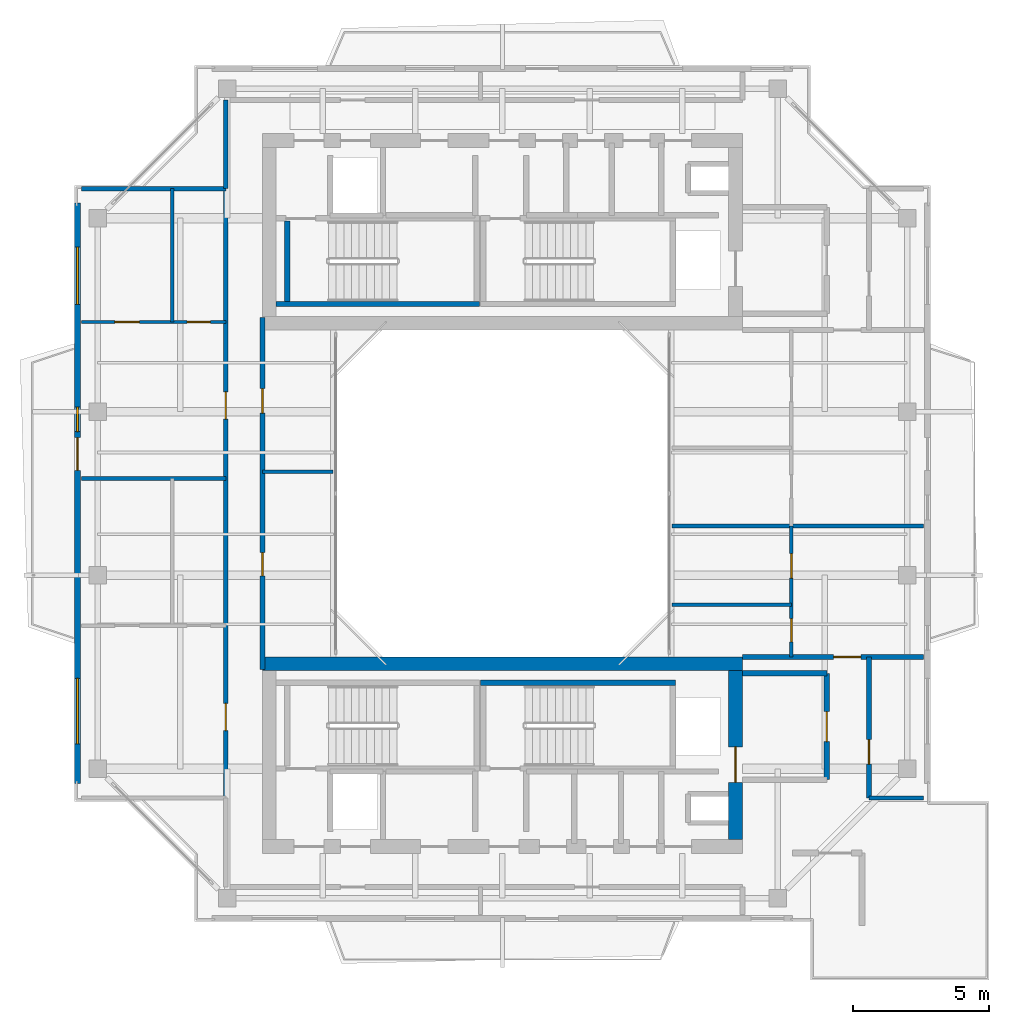
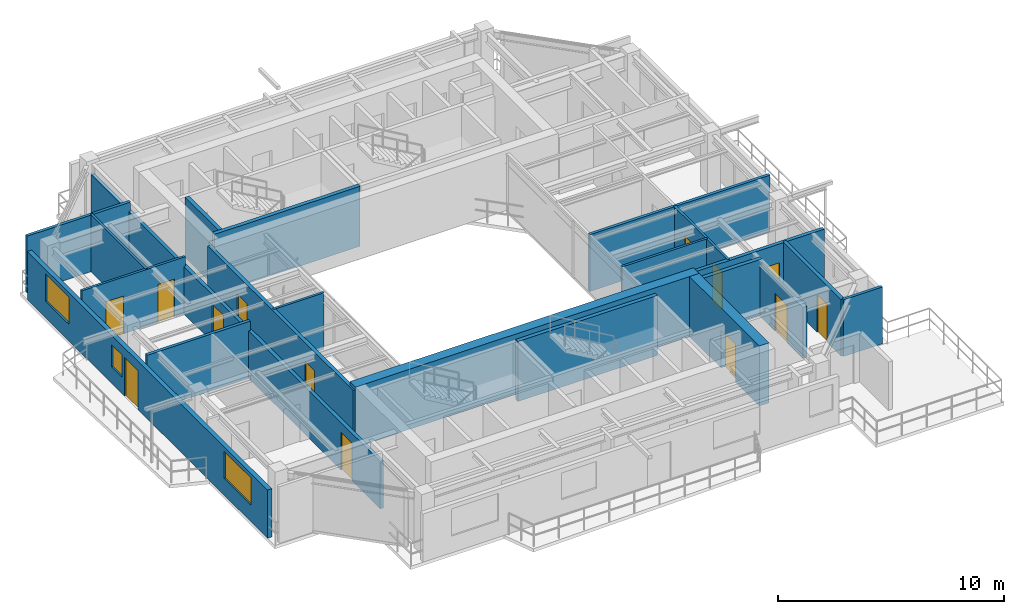
# One storey, part 10 of 14: 22 walls, 13 doors, 3 windows, 16 openings.
"""IFC4 building model written with IfcOpenShell, lengths in metres."""

from ifc_helpers import new_model, si_unit, direction, frame, frame_2d, origin, place, context, subcontext, project, spatial, rectangle, extrude, source, transform, mapped, material, layer, layer_set, type_object, element, fill, save


model = new_model("IFC4")

# Units and contexts
model_context = context("Model", 3, precision=1e-05, world=origin(), true_north=direction((0.0, 1.0)))
body_context = subcontext(model_context, "Body", "Model", "MODEL_VIEW")
ifc_project = project(units=[si_unit("LENGTHUNIT", "METRE"), si_unit("AREAUNIT", "SQUARE_METRE"), si_unit("VOLUMEUNIT", "CUBIC_METRE"), si_unit("PLANEANGLEUNIT", "RADIAN"), si_unit("MASSUNIT", "GRAM", prefix="KILO"), si_unit("THERMODYNAMICTEMPERATUREUNIT", "KELVIN"), si_unit("POWERUNIT", "WATT")], contexts=[model_context])

# Site, building, storey
site_placement = place(None, origin())
site = spatial("IfcSite", under=ifc_project, at=site_placement, CompositionType="ELEMENT")
building_placement = place(site_placement, origin())
building = spatial("IfcBuilding", under=site, at=building_placement, Name="Qiaomeng Ring Towers", CompositionType="ELEMENT")
storey_placement = place(building_placement, frame((0.0, 0.0, 253.5)))
storey = spatial("IfcBuildingStorey", under=building, at=storey_placement, Name="L74", CompositionType="ELEMENT", Elevation=253.5)

# Wall, openings, windows, door
ifc_material_1 = material(Name="Precast concrete C40", Category="concrete")
ifc_layer_1 = layer(ifc_material_1, 0.219970703125, Name="Precast concrete C40")
ifc_layer_set_1 = layer_set([ifc_layer_1], Name="Precast concrete C40")
wall_type_1 = type_object("IfcWallType", Name="ARC-WL-EW2", PredefinedType="STANDARD", material=ifc_layer_set_1)
wall_1_placement = place(storey_placement, frame((3.409912109375, 12.35009765625, 0.0), z_axis=(0.0, 0.0, 1.0), x_axis=(0.0, 1.0, 0.0)))
wall_1 = element("IfcWall", 1, at=wall_1_placement, inside=storey, type_object=wall_type_1, Name="L74 Tower 1 W Exterior Wall", PredefinedType="STANDARD", context=body_context, shape_type="SweptSolid", body=[
    extrude(rectangle(XDim=21.2998046875, YDim=0.219970703125, at=frame_2d((10.64990234375, 0.0))), origin(), (0.0, 0.0, 1.0), 2.610107421875),
])
opening_1_placement = place(wall_1_placement, frame((11.5, 0.0, 0.0)))
opening_1 = element("IfcOpeningElement", 2, at=opening_1_placement, cuts=wall_1, Name="Opening BD1", PredefinedType="OPENING", context=body_context, shape_type="SweptSolid", body=[
    extrude(rectangle(XDim=1.199951171875, YDim=2.10009765625, at=frame_2d((0.60009765625, 1.050048828125))), frame((0.0, 0.119873046875, 0.0), z_axis=(0.0, -1.0, 0.0), x_axis=(1.0, 0.0, 0.0)), (0.0, 0.0, 1.0), 0.239990234375),
])
opening_2_placement = place(wall_1_placement, frame((1.462890625, 0.0, 0.89990234375)))
opening_2 = element("IfcOpeningElement", 3, at=opening_2_placement, cuts=wall_1, Name="Opening WN6", PredefinedType="OPENING", context=body_context, shape_type="SweptSolid", body=[
    extrude(rectangle(XDim=2.39990234375, YDim=1.47998046875, at=frame_2d((1.199951171875, 0.739990234375))), frame((0.0, 0.119873046875, 0.0), z_axis=(0.0, -1.0, 0.0), x_axis=(1.0, 0.0, 0.0)), (0.0, 0.0, 1.0), 0.239990234375),
])
opening_3_placement = place(wall_1_placement, frame((17.587890625, 0.0, 0.89990234375)))
opening_3 = element("IfcOpeningElement", 4, at=opening_3_placement, cuts=wall_1, Name="Opening WN4", PredefinedType="OPENING", context=body_context, shape_type="SweptSolid", body=[
    extrude(rectangle(XDim=2.10009765625, YDim=1.47998046875, at=frame_2d((1.050048828125, 0.739990234375))), frame((0.0, 0.119873046875, 0.0), z_axis=(0.0, -1.0, 0.0), x_axis=(1.0, 0.0, 0.0)), (0.0, 0.0, 1.0), 0.239990234375),
])
opening_4_placement = place(wall_1_placement, frame((12.919921875, 0.0, 0.89990234375)))
opening_4 = element("IfcOpeningElement", 5, at=opening_4_placement, cuts=wall_1, Name="Opening WN5", PredefinedType="OPENING", context=body_context, shape_type="SweptSolid", body=[
    extrude(rectangle(XDim=0.89990234375, YDim=1.199951171875, at=frame_2d((0.449951171875, 0.60009765625))), frame((0.0, 0.119873046875, 0.0), z_axis=(0.0, -1.0, 0.0), x_axis=(1.0, 0.0, 0.0)), (0.0, 0.0, 1.0), 0.239990234375),
])
ifc_material_2 = material(Name="Low-E dark-grey laminated double glazing", Category="glass")
window_type_1 = type_object("IfcWindowType", Name="ARC-WN-4", PartitioningType="TRIPLE_PANEL_VERTICAL", PredefinedType="WINDOW", material=ifc_material_2)
shared_shape_1 = source(origin(), body_context, "Body", "SweptSolid", [
    extrude(rectangle(XDim=2.10009765625, YDim=1.47998046875, at=frame_2d((1.050048828125, 0.739990234375))), frame((0.0, 0.030029296875, 0.0), z_axis=(0.0, -1.0, 0.0), x_axis=(1.0, 0.0, 0.0)), (0.0, 0.0, 1.0), 0.06005859375),
])
window_1_placement = place(opening_3_placement, origin())
window_1 = element("IfcWindow", 6, at=window_1_placement, inside=storey, type_object=window_type_1, Name="L74 Exterior Window WN4", OverallHeight=1.47998046875, OverallWidth=2.10009765625, PartitioningType="TRIPLE_PANEL_VERTICAL", PredefinedType="WINDOW", context=body_context, shape_type="MappedRepresentation", body=[
    mapped(shared_shape_1, transform((0.0, 0.0, 0.0), x_axis=(1.0, 0.0, 0.0), y_axis=(0.0, 1.0, 0.0), z_axis=(0.0, 0.0, 1.0), scale=1.0)),
])
fill(opening_3, window_1)
window_type_2 = type_object("IfcWindowType", Name="ARC-WN-6", PartitioningType="TRIPLE_PANEL_VERTICAL", PredefinedType="WINDOW", material=ifc_material_2)
shared_shape_2 = source(origin(), body_context, "Body", "SweptSolid", [
    extrude(rectangle(XDim=2.39990234375, YDim=1.47998046875, at=frame_2d((1.199951171875, 0.739990234375))), frame((0.0, 0.030029296875, 0.0), z_axis=(0.0, -1.0, 0.0), x_axis=(1.0, 0.0, 0.0)), (0.0, 0.0, 1.0), 0.06005859375),
])
window_2_placement = place(opening_2_placement, origin())
window_2 = element("IfcWindow", 7, at=window_2_placement, inside=storey, type_object=window_type_2, Name="L74 Exterior Window WN6", OverallHeight=1.47998046875, OverallWidth=2.39990234375, PartitioningType="TRIPLE_PANEL_VERTICAL", PredefinedType="WINDOW", context=body_context, shape_type="MappedRepresentation", body=[
    mapped(shared_shape_2, transform((0.0, 0.0, 0.0), x_axis=(1.0, 0.0, 0.0), y_axis=(0.0, 1.0, 0.0), z_axis=(0.0, 0.0, 1.0), scale=1.0)),
])
fill(opening_2, window_2)
door_type_1 = type_object("IfcDoorType", Name="ARC-DR-BD1", OperationType="NOTDEFINED", PredefinedType="DOOR", material=ifc_material_2)
shared_shape_3 = source(origin(), body_context, "Body", "SweptSolid", [
    extrude(rectangle(XDim=1.199951171875, YDim=2.10009765625, at=frame_2d((0.60009765625, 1.050048828125))), frame((0.0, 0.02490234375, 0.0), z_axis=(0.0, -1.0, 0.0), x_axis=(1.0, 0.0, 0.0)), (0.0, 0.0, 1.0), 0.050048828125),
])
door_1_placement = place(opening_1_placement, frame((1.199951171875, 0.0, 0.0), z_axis=(0.0, 0.0, 1.0), x_axis=(-1.0, 0.0, 0.0)))
door_1 = element("IfcDoor", 8, at=door_1_placement, inside=storey, type_object=door_type_1, Name="L74 W Balcony Glazed Door", OperationType="SINGLE_SWING_LEFT", OverallHeight=2.10009765625, OverallWidth=1.199951171875, PredefinedType="DOOR", context=body_context, shape_type="MappedRepresentation", body=[
    mapped(shared_shape_3, transform((0.0, 0.0, 0.0), x_axis=(1.0, 0.0, 0.0), y_axis=(0.0, 1.0, 0.0), z_axis=(0.0, 0.0, 1.0), scale=1.0)),
])
fill(opening_1, door_1)
window_type_3 = type_object("IfcWindowType", Name="ARC-WN-5", PartitioningType="SINGLE_PANEL", PredefinedType="WINDOW", material=ifc_material_2)
shared_shape_4 = source(origin(), body_context, "Body", "SweptSolid", [
    extrude(rectangle(XDim=0.89990234375, YDim=1.199951171875, at=frame_2d((0.449951171875, 0.60009765625))), frame((0.0, 0.030029296875, 0.0), z_axis=(0.0, -1.0, 0.0), x_axis=(1.0, 0.0, 0.0)), (0.0, 0.0, 1.0), 0.06005859375),
])
window_3_placement = place(opening_4_placement, origin())
window_3 = element("IfcWindow", 9, at=window_3_placement, inside=storey, type_object=window_type_3, Name="L74 Exterior Window WN5", OverallHeight=1.199951171875, OverallWidth=0.89990234375, PartitioningType="SINGLE_PANEL", PredefinedType="WINDOW", context=body_context, shape_type="MappedRepresentation", body=[
    mapped(shared_shape_4, transform((0.0, 0.0, 0.0), x_axis=(1.0, 0.0, 0.0), y_axis=(0.0, 1.0, 0.0), z_axis=(0.0, 0.0, 1.0), scale=1.0)),
])
fill(opening_4, window_3)

# Wall
ifc_material_3 = material(Name="Autoclaved aerated concrete block", Category="concrete")
ifc_layer_2 = layer(ifc_material_3, 0.199951171875, Name="Autoclaved aerated concrete block")
ifc_layer_set_2 = layer_set([ifc_layer_2], Name="Autoclaved aerated concrete block")
wall_type_2 = type_object("IfcWallType", Name="ARC-WL-PW1", PredefinedType="PARTITIONING", material=ifc_layer_set_2)
wall_2_placement = place(storey_placement, frame((27.800048828125, 16.39990234375, 0.0), z_axis=(0.0, 0.0, 1.0), x_axis=(1.0, 0.0, 0.0)))
element("IfcWall", 10, at=wall_2_placement, inside=storey, type_object=wall_type_2, Name="L74 Interior Wall PW1", PredefinedType="PARTITIONING", context=body_context, shape_type="SweptSolid", body=[
    extrude(rectangle(XDim=3.099853515625, YDim=0.199951171875, at=frame_2d((1.5498046875, 0.0))), origin(), (0.0, 0.0, 1.0), 3.070068359375),
])

# Wall, opening, door
wall_3_placement = place(storey_placement, frame((30.89990234375, 12.5, 0.0), z_axis=(0.0, 0.0, 1.0), x_axis=(0.0, 1.0, 0.0)))
wall_3 = element("IfcWall", 11, at=wall_3_placement, inside=storey, type_object=wall_type_2, Name="L74 Interior Wall PW1", PredefinedType="PARTITIONING", context=body_context, shape_type="SweptSolid", body=[
    extrude(rectangle(XDim=3.89990234375, YDim=0.199951171875, at=frame_2d((1.949951171875, 0.0))), origin(), (0.0, 0.0, 1.0), 2.77099609375),
])
opening_5_placement = place(wall_3_placement, frame((1.39990234375, 0.0, 0.0)))
opening_5 = element("IfcOpeningElement", 12, at=opening_5_placement, cuts=wall_3, Name="Opening FD3", PredefinedType="OPENING", context=body_context, shape_type="SweptSolid", body=[
    extrude(rectangle(XDim=1.10009765625, YDim=2.050048828125, at=frame_2d((0.550048828125, 1.02490234375))), frame((0.0, 0.10986328125, 0.0), z_axis=(0.0, -1.0, 0.0), x_axis=(1.0, 0.0, 0.0)), (0.0, 0.0, 1.0), 0.219970703125),
])
ifc_material_4 = material(Name="Galvanised steel", Category="steel")
door_type_2 = type_object("IfcDoorType", Name="ARC-DR-FD3", OperationType="NOTDEFINED", PredefinedType="DOOR", material=ifc_material_4)
shared_shape_5 = source(origin(), body_context, "Body", "SweptSolid", [
    extrude(rectangle(XDim=1.10009765625, YDim=2.050048828125, at=frame_2d((0.550048828125, 1.02490234375))), frame((0.0, 0.02490234375, 0.0), z_axis=(0.0, -1.0, 0.0), x_axis=(1.0, 0.0, 0.0)), (0.0, 0.0, 1.0), 0.050048828125),
])
door_2_placement = place(opening_5_placement, origin())
door_2 = element("IfcDoor", 13, at=door_2_placement, inside=storey, type_object=door_type_2, Name="L74 South FF Lobby Door", OperationType="SINGLE_SWING_RIGHT", OverallHeight=2.050048828125, OverallWidth=1.10009765625, PredefinedType="DOOR", context=body_context, shape_type="MappedRepresentation", body=[
    mapped(shared_shape_5, transform((0.0, 0.0, 0.0), x_axis=(1.0, 0.0, 0.0), y_axis=(0.0, 1.0, 0.0), z_axis=(0.0, 0.0, 1.0), scale=1.0)),
])
fill(opening_5, door_2)

# Wall
ifc_layer_3 = layer(ifc_material_3, 0.179931640625, Name="Autoclaved aerated concrete block")
ifc_layer_set_3 = layer_set([ifc_layer_3], Name="Autoclaved aerated concrete block")
wall_type_3 = type_object("IfcWallType", Name="ARC-WL-PW2", PredefinedType="PARTITIONING", material=ifc_layer_set_3)
wall_4_placement = place(storey_placement, frame((8.85009765625, 34.179931640625, 0.0), z_axis=(0.0, 0.0, 1.0), x_axis=(0.0, 1.0, 0.0)))
element("IfcWall", 14, at=wall_4_placement, inside=storey, type_object=wall_type_3, Name="L74 Interior Wall PW2", PredefinedType="PARTITIONING", context=body_context, shape_type="SweptSolid", body=[
    extrude(rectangle(XDim=3.260009765625, YDim=0.179931640625, at=frame_2d((1.6298828125, 0.0))), origin(), (0.0, 0.0, 1.0), 2.569091796875),
])

# Wall, openings, doors
wall_5_placement = place(storey_placement, frame((8.85009765625, 11.820068359375, 0.0), z_axis=(0.0, 0.0, 1.0), x_axis=(0.0, 1.0, 0.0)))
wall_5 = element("IfcWall", 15, at=wall_5_placement, inside=storey, type_object=wall_type_3, Name="L74 Interior Wall PW2", PredefinedType="PARTITIONING", context=body_context, shape_type="SweptSolid", body=[
    extrude(rectangle(XDim=22.35986328125, YDim=0.179931640625, at=frame_2d((11.179931640625, 0.0))), origin(), (0.0, 0.0, 1.0), 2.569091796875),
])
opening_6_placement = place(wall_5_placement, frame((2.47509765625, 0.0, 0.0)))
opening_6 = element("IfcOpeningElement", 16, at=opening_6_placement, cuts=wall_5, Name="Opening FD4", PredefinedType="OPENING", context=body_context, shape_type="SweptSolid", body=[
    extrude(rectangle(XDim=1.0, YDim=2.050048828125, at=frame_2d((0.5, 1.02490234375))), frame((0.0, 0.099853515625, 0.0), z_axis=(0.0, -1.0, 0.0), x_axis=(1.0, 0.0, 0.0)), (0.0, 0.0, 1.0), 0.199951171875),
])
opening_7_placement = place(wall_5_placement, frame((13.909912109375, 0.0, 0.0)))
opening_7 = element("IfcOpeningElement", 17, at=opening_7_placement, cuts=wall_5, Name="Opening FD4", PredefinedType="OPENING", context=body_context, shape_type="SweptSolid", body=[
    extrude(rectangle(XDim=1.0, YDim=2.050048828125, at=frame_2d((0.5, 1.02490234375))), frame((0.0, 0.099853515625, 0.0), z_axis=(0.0, -1.0, 0.0), x_axis=(1.0, 0.0, 0.0)), (0.0, 0.0, 1.0), 0.199951171875),
])
ifc_material_5 = material(Name="Engineered fire-rated oak timber", Category="wood")
door_type_3 = type_object("IfcDoorType", Name="ARC-DR-FD4", OperationType="NOTDEFINED", PredefinedType="DOOR", material=ifc_material_5)
shared_shape_6 = source(origin(), body_context, "Body", "SweptSolid", [
    extrude(rectangle(XDim=1.0, YDim=2.050048828125, at=frame_2d((0.5, 1.02490234375))), frame((0.0, 0.02490234375, 0.0), z_axis=(0.0, -1.0, 0.0), x_axis=(1.0, 0.0, 0.0)), (0.0, 0.0, 1.0), 0.050048828125),
])
door_3_placement = place(opening_6_placement, origin())
door_3 = element("IfcDoor", 18, at=door_3_placement, inside=storey, type_object=door_type_3, Name="L74 Door FD4", OperationType="SINGLE_SWING_LEFT", OverallHeight=2.050048828125, OverallWidth=1.0, PredefinedType="DOOR", context=body_context, shape_type="MappedRepresentation", body=[
    mapped(shared_shape_6, transform((0.0, 0.0, 0.0), x_axis=(1.0, 0.0, 0.0), y_axis=(0.0, 1.0, 0.0), z_axis=(0.0, 0.0, 1.0), scale=1.0)),
])
fill(opening_6, door_3)
door_4_placement = place(opening_7_placement, origin())
door_4 = element("IfcDoor", 19, at=door_4_placement, inside=storey, type_object=door_type_3, Name="L74 Door FD4", OperationType="SINGLE_SWING_RIGHT", OverallHeight=2.050048828125, OverallWidth=1.0, PredefinedType="DOOR", context=body_context, shape_type="MappedRepresentation", body=[
    mapped(shared_shape_6, transform((0.0, 0.0, 0.0), x_axis=(1.0, 0.0, 0.0), y_axis=(0.0, 1.0, 0.0), z_axis=(0.0, 0.0, 1.0), scale=1.0)),
])
fill(opening_7, door_4)

wall_6_placement = place(storey_placement, frame((10.199951171875, 16.550048828125, 0.0), z_axis=(0.0, 0.0, 1.0), x_axis=(0.0, 1.0, 0.0)))
wall_6 = element("IfcWall", 20, at=wall_6_placement, inside=storey, type_object=wall_type_3, Name="L74 Interior Wall PW2", PredefinedType="PARTITIONING", context=body_context, shape_type="SweptSolid", body=[
    extrude(rectangle(XDim=12.89990234375, YDim=0.179931640625, at=frame_2d((6.449951171875, 0.0))), origin(), (0.0, 0.0, 1.0), 3.070068359375),
])
opening_8_placement = place(wall_6_placement, frame((3.425048828125, 0.0, 0.0)))
opening_8 = element("IfcOpeningElement", 21, at=opening_8_placement, cuts=wall_6, Name="Opening ID2", PredefinedType="OPENING", context=body_context, shape_type="SweptSolid", body=[
    extrude(rectangle(XDim=0.85009765625, YDim=2.050048828125, at=frame_2d((0.425048828125, 1.02490234375))), frame((0.0, 0.099853515625, 0.0), z_axis=(0.0, -1.0, 0.0), x_axis=(1.0, 0.0, 0.0)), (0.0, 0.0, 1.0), 0.199951171875),
])
opening_9_placement = place(wall_6_placement, frame((9.39990234375, 0.0, 0.0)))
opening_9 = element("IfcOpeningElement", 22, at=opening_9_placement, cuts=wall_6, Name="Opening ID1", PredefinedType="OPENING", context=body_context, shape_type="SweptSolid", body=[
    extrude(rectangle(XDim=0.89990234375, YDim=2.050048828125, at=frame_2d((0.449951171875, 1.02490234375))), frame((0.0, 0.099853515625, 0.0), z_axis=(0.0, -1.0, 0.0), x_axis=(1.0, 0.0, 0.0)), (0.0, 0.0, 1.0), 0.199951171875),
])
ifc_material_6 = material(Name="Moisture-resistant engineered timber", Category="wood")
door_type_4 = type_object("IfcDoorType", Name="ARC-DR-ID2", OperationType="NOTDEFINED", PredefinedType="DOOR", material=ifc_material_6)
shared_shape_7 = source(origin(), body_context, "Body", "SweptSolid", [
    extrude(rectangle(XDim=0.85009765625, YDim=2.050048828125, at=frame_2d((0.425048828125, 1.02490234375))), frame((0.0, 0.02490234375, 0.0), z_axis=(0.0, -1.0, 0.0), x_axis=(1.0, 0.0, 0.0)), (0.0, 0.0, 1.0), 0.050048828125),
])
door_5_placement = place(opening_8_placement, origin())
door_5 = element("IfcDoor", 23, at=door_5_placement, inside=storey, type_object=door_type_4, Name="L74 Door ID2", OperationType="SINGLE_SWING_LEFT", OverallHeight=2.050048828125, OverallWidth=0.85009765625, PredefinedType="DOOR", context=body_context, shape_type="MappedRepresentation", body=[
    mapped(shared_shape_7, transform((0.0, 0.0, 0.0), x_axis=(1.0, 0.0, 0.0), y_axis=(0.0, 1.0, 0.0), z_axis=(0.0, 0.0, 1.0), scale=1.0)),
])
fill(opening_8, door_5)
ifc_material_7 = material(Name="Engineered oak timber", Category="wood")
door_type_5 = type_object("IfcDoorType", Name="ARC-DR-ID1", OperationType="NOTDEFINED", PredefinedType="DOOR", material=ifc_material_7)
shared_shape_8 = source(origin(), body_context, "Body", "SweptSolid", [
    extrude(rectangle(XDim=0.89990234375, YDim=2.050048828125, at=frame_2d((0.449951171875, 1.02490234375))), frame((0.0, 0.02490234375, 0.0), z_axis=(0.0, -1.0, 0.0), x_axis=(1.0, 0.0, 0.0)), (0.0, 0.0, 1.0), 0.050048828125),
])
door_6_placement = place(opening_9_placement, origin())
door_6 = element("IfcDoor", 24, at=door_6_placement, inside=storey, type_object=door_type_5, Name="L74 Door ID1", OperationType="SINGLE_SWING_RIGHT", OverallHeight=2.050048828125, OverallWidth=0.89990234375, PredefinedType="DOOR", context=body_context, shape_type="MappedRepresentation", body=[
    mapped(shared_shape_8, transform((0.0, 0.0, 0.0), x_axis=(1.0, 0.0, 0.0), y_axis=(0.0, 1.0, 0.0), z_axis=(0.0, 0.0, 1.0), scale=1.0)),
])
fill(opening_9, door_6)

# Wall, opening, door
wall_7_placement = place(storey_placement, frame((27.800048828125, 17.0, 0.0), z_axis=(0.0, 0.0, 1.0), x_axis=(1.0, 0.0, 0.0)))
wall_7 = element("IfcWall", 25, at=wall_7_placement, inside=storey, type_object=wall_type_3, Name="L74 Interior Wall PW2", PredefinedType="PARTITIONING", context=body_context, shape_type="SweptSolid", body=[
    extrude(rectangle(XDim=6.64990234375, YDim=0.179931640625, at=frame_2d((3.324951171875, 0.0))), origin(), (0.0, 0.0, 1.0), 3.070068359375),
])
opening_10_placement = place(wall_7_placement, frame((3.35009765625, 0.0, 0.0)))
opening_10 = element("IfcOpeningElement", 26, at=opening_10_placement, cuts=wall_7, Name="Opening FD4", PredefinedType="OPENING", context=body_context, shape_type="SweptSolid", body=[
    extrude(rectangle(XDim=1.0, YDim=2.050048828125, at=frame_2d((0.5, 1.02490234375))), frame((0.0, 0.099853515625, 0.0), z_axis=(0.0, -1.0, 0.0), x_axis=(1.0, 0.0, 0.0)), (0.0, 0.0, 1.0), 0.199951171875),
])
door_7_placement = place(opening_10_placement, origin())
door_7 = element("IfcDoor", 27, at=door_7_placement, inside=storey, type_object=door_type_3, Name="L74 Door FD4", OperationType="SINGLE_SWING_LEFT", OverallHeight=2.050048828125, OverallWidth=1.0, PredefinedType="DOOR", context=body_context, shape_type="MappedRepresentation", body=[
    mapped(shared_shape_6, transform((0.0, 0.0, 0.0), x_axis=(1.0, 0.0, 0.0), y_axis=(0.0, 1.0, 0.0), z_axis=(0.0, 0.0, 1.0), scale=1.0)),
])
fill(opening_10, door_7)

wall_8_placement = place(storey_placement, frame((32.449951171875, 11.820068359375, 0.0), z_axis=(0.0, 0.0, 1.0), x_axis=(0.0, 1.0, 0.0)))
wall_8 = element("IfcWall", 28, at=wall_8_placement, inside=storey, type_object=wall_type_3, Name="L74 Interior Wall PW2", PredefinedType="PARTITIONING", context=body_context, shape_type="SweptSolid", body=[
    extrude(rectangle(XDim=5.179931640625, YDim=0.179931640625, at=frame_2d((2.58984375, 0.0))), origin(), (0.0, 0.0, 1.0), 3.070068359375),
])
opening_11_placement = place(wall_8_placement, frame((1.25, 0.0, 0.0)))
opening_11 = element("IfcOpeningElement", 29, at=opening_11_placement, cuts=wall_8, Name="Opening ID1", PredefinedType="OPENING", context=body_context, shape_type="SweptSolid", body=[
    extrude(rectangle(XDim=0.89990234375, YDim=2.050048828125, at=frame_2d((0.449951171875, 1.02490234375))), frame((0.0, 0.099853515625, 0.0), z_axis=(0.0, -1.0, 0.0), x_axis=(1.0, 0.0, 0.0)), (0.0, 0.0, 1.0), 0.199951171875),
])
door_8_placement = place(opening_11_placement, origin())
door_8 = element("IfcDoor", 30, at=door_8_placement, inside=storey, type_object=door_type_5, Name="L74 Door ID1", OperationType="SINGLE_SWING_RIGHT", OverallHeight=2.050048828125, OverallWidth=0.89990234375, PredefinedType="DOOR", context=body_context, shape_type="MappedRepresentation", body=[
    mapped(shared_shape_8, transform((0.0, 0.0, 0.0), x_axis=(1.0, 0.0, 0.0), y_axis=(0.0, 1.0, 0.0), z_axis=(0.0, 0.0, 1.0), scale=1.0)),
])
fill(opening_11, door_8)

# Walls
ifc_material_8 = material(Name="Gypsum fireboard steel-stud partition", Category="steel")
ifc_layer_4 = layer(ifc_material_8, 0.14990234375, Name="Gypsum fireboard steel-stud partition")
ifc_layer_set_4 = layer_set([ifc_layer_4], Name="Gypsum fireboard steel-stud partition")
wall_type_4 = type_object("IfcWallType", Name="ARC-WL-PW3", PredefinedType="PARTITIONING", material=ifc_layer_set_4)
for number, where, z_axis, x_axis, name in (
    (31, (3.550048828125, 34.179931640625, 0.0), (0.0, 0.0, 1.0), (1.0, 0.0, 0.0), "L74 Interior Wall PW3"),
    (32, (3.550048828125, 23.550048828125, 0.0), (0.0, 0.0, 1.0), (1.0, 0.0, 0.0), "L74 Interior Wall PW3"),
):
    element("IfcWall", number, at=place(storey_placement, frame(where, z_axis=z_axis, x_axis=x_axis)), inside=storey, type_object=wall_type_4, Name=name, PredefinedType="PARTITIONING", context=body_context, shape_type="SweptSolid", body=[
        extrude(rectangle(XDim=5.300048828125, YDim=0.14990234375, at=frame_2d((2.64990234375, 0.0))), origin(), (0.0, 0.0, 1.0), 3.070068359375),
    ])
wall_9_placement = place(storey_placement, frame((25.219970703125, 21.800048828125, 0.0), z_axis=(0.0, 0.0, 1.0), x_axis=(1.0, 0.0, 0.0)))
element("IfcWall", 33, at=wall_9_placement, inside=storey, type_object=wall_type_4, Name="L74 Interior Wall PW3", PredefinedType="PARTITIONING", context=body_context, shape_type="SweptSolid", body=[
    extrude(rectangle(XDim=9.22998046875, YDim=0.14990234375, at=frame_2d((4.614990234375, 0.0))), origin(), (0.0, 0.0, 1.0), 3.070068359375),
])
wall_10_placement = place(storey_placement, frame((32.449951171875, 11.820068359375, 0.0), z_axis=(0.0, 0.0, 1.0), x_axis=(1.0, 0.0, 0.0)))
element("IfcWall", 34, at=wall_10_placement, inside=storey, type_object=wall_type_4, Name="L74 Interior Wall PW3", PredefinedType="PARTITIONING", context=body_context, shape_type="SweptSolid", body=[
    extrude(rectangle(XDim=2.0, YDim=0.14990234375, at=frame_2d((1.0, 0.0))), origin(), (0.0, 0.0, 1.0), 3.070068359375),
])

# Wall, openings, doors
ifc_material_9 = material(Name="Moisture-resistant gypsum steel-stud partition", Category="steel")
ifc_layer_5 = layer(ifc_material_9, 0.1201171875, Name="Moisture-resistant gypsum steel-stud partition")
ifc_layer_set_5 = layer_set([ifc_layer_5], Name="Moisture-resistant gypsum steel-stud partition")
wall_type_5 = type_object("IfcWallType", Name="ARC-WL-PW4", PredefinedType="PLUMBINGWALL", material=ifc_layer_set_5)
wall_11_placement = place(storey_placement, frame((3.550048828125, 29.2900390625, 0.0), z_axis=(0.0, 0.0, 1.0), x_axis=(1.0, 0.0, 0.0)))
wall_11 = element("IfcWall", 35, at=wall_11_placement, inside=storey, type_object=wall_type_5, Name="L74 Interior Wall PW4", PredefinedType="PLUMBINGWALL", context=body_context, shape_type="SweptSolid", body=[
    extrude(rectangle(XDim=5.300048828125, YDim=0.1201171875, at=frame_2d((2.64990234375, 0.0))), origin(), (0.0, 0.0, 1.0), 3.070068359375),
])
opening_12_placement = place(wall_11_placement, frame((1.22998046875, 0.0, 0.0)))
opening_12 = element("IfcOpeningElement", 36, at=opening_12_placement, cuts=wall_11, Name="Opening ID1", PredefinedType="OPENING", context=body_context, shape_type="SweptSolid", body=[
    extrude(rectangle(XDim=0.89990234375, YDim=2.050048828125, at=frame_2d((0.449951171875, 1.02490234375))), frame((0.0, 0.070068359375, 0.0), z_axis=(0.0, -1.0, 0.0), x_axis=(1.0, 0.0, 0.0)), (0.0, 0.0, 1.0), 0.14013671875),
])
opening_13_placement = place(wall_11_placement, frame((3.885009765625, 0.0, 0.0)))
opening_13 = element("IfcOpeningElement", 37, at=opening_13_placement, cuts=wall_11, Name="Opening ID2", PredefinedType="OPENING", context=body_context, shape_type="SweptSolid", body=[
    extrude(rectangle(XDim=0.85009765625, YDim=2.050048828125, at=frame_2d((0.425048828125, 1.02490234375))), frame((0.0, 0.070068359375, 0.0), z_axis=(0.0, -1.0, 0.0), x_axis=(1.0, 0.0, 0.0)), (0.0, 0.0, 1.0), 0.14013671875),
])
door_9_placement = place(opening_13_placement, origin())
door_9 = element("IfcDoor", 38, at=door_9_placement, inside=storey, type_object=door_type_4, Name="L74 Door ID2", OperationType="SINGLE_SWING_LEFT", OverallHeight=2.050048828125, OverallWidth=0.85009765625, PredefinedType="DOOR", context=body_context, shape_type="MappedRepresentation", body=[
    mapped(shared_shape_7, transform((0.0, 0.0, 0.0), x_axis=(1.0, 0.0, 0.0), y_axis=(0.0, 1.0, 0.0), z_axis=(0.0, 0.0, 1.0), scale=1.0)),
])
fill(opening_13, door_9)
door_10_placement = place(opening_12_placement, origin())
door_10 = element("IfcDoor", 39, at=door_10_placement, inside=storey, type_object=door_type_5, Name="L74 Door ID1", OperationType="SINGLE_SWING_RIGHT", OverallHeight=2.050048828125, OverallWidth=0.89990234375, PredefinedType="DOOR", context=body_context, shape_type="MappedRepresentation", body=[
    mapped(shared_shape_8, transform((0.0, 0.0, 0.0), x_axis=(1.0, 0.0, 0.0), y_axis=(0.0, 1.0, 0.0), z_axis=(0.0, 0.0, 1.0), scale=1.0)),
])
fill(opening_12, door_10)

# Walls
wall_12_placement = place(storey_placement, frame((6.889892578125, 29.2900390625, 0.0), z_axis=(0.0, 0.0, 1.0), x_axis=(0.0, 1.0, 0.0)))
element("IfcWall", 40, at=wall_12_placement, inside=storey, type_object=wall_type_5, Name="L74 Interior Wall PW4", PredefinedType="PLUMBINGWALL", context=body_context, shape_type="SweptSolid", body=[
    extrude(rectangle(XDim=4.889892578125, YDim=0.1201171875, at=frame_2d((2.44482421875, 0.0))), origin(), (0.0, 0.0, 1.0), 3.070068359375),
])
wall_13_placement = place(storey_placement, frame((10.199951171875, 23.800048828125, 0.0), z_axis=(0.0, 0.0, 1.0), x_axis=(1.0, 0.0, 0.0)))
element("IfcWall", 41, at=wall_13_placement, inside=storey, type_object=wall_type_5, Name="L74 Interior Wall PW4", PredefinedType="PLUMBINGWALL", context=body_context, shape_type="SweptSolid", body=[
    extrude(rectangle(XDim=2.580078125, YDim=0.1201171875, at=frame_2d((1.2900390625, 0.0))), origin(), (0.0, 0.0, 1.0), 3.070068359375),
])

# Wall, openings, doors
wall_14_placement = place(storey_placement, frame((29.60009765625, 17.0, 0.0), z_axis=(0.0, 0.0, 1.0), x_axis=(0.0, 1.0, 0.0)))
wall_14 = element("IfcWall", 42, at=wall_14_placement, inside=storey, type_object=wall_type_5, Name="L74 Interior Wall PW4", PredefinedType="PLUMBINGWALL", context=body_context, shape_type="SweptSolid", body=[
    extrude(rectangle(XDim=4.800048828125, YDim=0.1201171875, at=frame_2d((2.39990234375, 0.0))), origin(), (0.0, 0.0, 1.0), 3.070068359375),
])
opening_14_placement = place(wall_14_placement, frame((0.554931640625, 0.0, 0.0)))
opening_14 = element("IfcOpeningElement", 43, at=opening_14_placement, cuts=wall_14, Name="Opening ID2", PredefinedType="OPENING", context=body_context, shape_type="SweptSolid", body=[
    extrude(rectangle(XDim=0.85009765625, YDim=2.050048828125, at=frame_2d((0.425048828125, 1.02490234375))), frame((0.0, 0.070068359375, 0.0), z_axis=(0.0, -1.0, 0.0), x_axis=(1.0, 0.0, 0.0)), (0.0, 0.0, 1.0), 0.14013671875),
])
opening_15_placement = place(wall_14_placement, frame((2.889892578125, 0.0, 0.0)))
opening_15 = element("IfcOpeningElement", 44, at=opening_15_placement, cuts=wall_14, Name="Opening ID1", PredefinedType="OPENING", context=body_context, shape_type="SweptSolid", body=[
    extrude(rectangle(XDim=0.89990234375, YDim=2.050048828125, at=frame_2d((0.449951171875, 1.02490234375))), frame((0.0, 0.070068359375, 0.0), z_axis=(0.0, -1.0, 0.0), x_axis=(1.0, 0.0, 0.0)), (0.0, 0.0, 1.0), 0.14013671875),
])
door_11_placement = place(opening_14_placement, origin())
door_11 = element("IfcDoor", 45, at=door_11_placement, inside=storey, type_object=door_type_4, Name="L74 Door ID2", OperationType="SINGLE_SWING_LEFT", OverallHeight=2.050048828125, OverallWidth=0.85009765625, PredefinedType="DOOR", context=body_context, shape_type="MappedRepresentation", body=[
    mapped(shared_shape_7, transform((0.0, 0.0, 0.0), x_axis=(1.0, 0.0, 0.0), y_axis=(0.0, 1.0, 0.0), z_axis=(0.0, 0.0, 1.0), scale=1.0)),
])
fill(opening_14, door_11)
door_12_placement = place(opening_15_placement, origin())
door_12 = element("IfcDoor", 46, at=door_12_placement, inside=storey, type_object=door_type_5, Name="L74 Door ID1", OperationType="SINGLE_SWING_RIGHT", OverallHeight=2.050048828125, OverallWidth=0.89990234375, PredefinedType="DOOR", context=body_context, shape_type="MappedRepresentation", body=[
    mapped(shared_shape_8, transform((0.0, 0.0, 0.0), x_axis=(1.0, 0.0, 0.0), y_axis=(0.0, 1.0, 0.0), z_axis=(0.0, 0.0, 1.0), scale=1.0)),
])
fill(opening_15, door_12)

# Walls
wall_15_placement = place(storey_placement, frame((25.219970703125, 18.919921875, 0.0), z_axis=(0.0, 0.0, 1.0), x_axis=(1.0, 0.0, 0.0)))
element("IfcWall", 47, at=wall_15_placement, inside=storey, type_object=wall_type_5, Name="L74 Interior Wall PW4", PredefinedType="PLUMBINGWALL", context=body_context, shape_type="SweptSolid", body=[
    extrude(rectangle(XDim=4.380126953125, YDim=0.1201171875, at=frame_2d((2.18994140625, 0.0))), origin(), (0.0, 0.0, 1.0), 3.070068359375),
])
ifc_material_10 = material(Name="Concrete C40", Category="concrete")
ifc_layer_6 = layer(ifc_material_10, 0.199951171875, Name="Concrete C40")
ifc_layer_set_6 = layer_set([ifc_layer_6], Name="Concrete C40")
wall_type_6 = type_object("IfcWallType", Name="STR-WL-STSHAFT", PredefinedType="SHEAR", material=ifc_layer_set_6)
wall_16_placement = place(storey_placement, frame((10.699951171875, 29.949951171875, 0.0), z_axis=(0.0, 0.0, 1.0), x_axis=(1.0, 0.0, 0.0)))
element("IfcWall", 48, at=wall_16_placement, inside=storey, type_object=wall_type_6, Name="L74 Stair ST1 South Shaft Shear Wall", PredefinedType="SHEAR", context=body_context, shape_type="SweptSolid", body=[
    extrude(rectangle(XDim=7.449951171875, YDim=0.199951171875, at=frame_2d((3.72509765625, 0.0))), origin(), (0.0, 0.0, 1.0), 3.25),
])
wall_17_placement = place(storey_placement, frame((11.10009765625, 30.050048828125, 0.0), z_axis=(0.0, 0.0, 1.0), x_axis=(0.0, 1.0, 0.0)))
element("IfcWall", 49, at=wall_17_placement, inside=storey, type_object=wall_type_6, Name="L74 Stair ST1 West Shaft Shear Wall", PredefinedType="SHEAR", context=body_context, shape_type="SweptSolid", body=[
    extrude(rectangle(XDim=2.93994140625, YDim=0.199951171875, at=frame_2d((1.469970703125, 0.0))), origin(), (0.0, 0.0, 1.0), 3.25),
])
wall_18_placement = place(storey_placement, frame((18.199951171875, 16.050048828125, 0.0), z_axis=(0.0, 0.0, 1.0), x_axis=(1.0, 0.0, 0.0)))
element("IfcWall", 50, at=wall_18_placement, inside=storey, type_object=wall_type_6, Name="L74 Stair ST4 North Shaft Shear Wall", PredefinedType="SHEAR", context=body_context, shape_type="SweptSolid", body=[
    extrude(rectangle(XDim=7.150146484375, YDim=0.199951171875, at=frame_2d((3.5751953125, 0.0))), origin(), (0.0, 0.0, 1.0), 3.25),
])
ifc_layer_7 = layer(ifc_material_10, 0.5, Name="Concrete C40")
ifc_layer_set_7 = layer_set([ifc_layer_7], Name="Concrete C40")
wall_type_7 = type_object("IfcWallType", Name="STR-WL-SW3", PredefinedType="SHEAR", material=ifc_layer_set_7)
wall_19_placement = place(storey_placement, frame((10.199951171875, 16.75, 0.0), z_axis=(0.0, 0.0, 1.0), x_axis=(1.0, 0.0, 0.0)))
element("IfcWall", 51, at=wall_19_placement, inside=storey, type_object=wall_type_7, Name="L74 T1SC north core shear wall", PredefinedType="SHEAR", context=body_context, shape_type="SweptSolid", body=[
    extrude(rectangle(XDim=17.60009765625, YDim=0.5, at=frame_2d((8.800048828125, 0.0))), origin(), (0.0, 0.0, 1.0), 3.25),
])

# Wall, opening, door
wall_20_placement = place(storey_placement, frame((27.550048828125, 10.300048828125, 0.0), z_axis=(0.0, 0.0, 1.0), x_axis=(0.0, 1.0, 0.0)))
wall_20 = element("IfcWall", 52, at=wall_20_placement, inside=storey, type_object=wall_type_7, Name="L74 T1SC east core shear wall", PredefinedType="SHEAR", context=body_context, shape_type="SweptSolid", body=[
    extrude(rectangle(XDim=6.199951171875, YDim=0.5, at=frame_2d((3.10009765625, 0.0))), origin(), (0.0, 0.0, 1.0), 3.25),
])
opening_16_placement = place(wall_20_placement, frame((2.10009765625, 0.0, 0.0)))
opening_16 = element("IfcOpeningElement", 53, at=opening_16_placement, cuts=wall_20, Name="Opening LD2", PredefinedType="OPENING", context=body_context, shape_type="SweptSolid", body=[
    extrude(rectangle(XDim=1.300048828125, YDim=2.050048828125, at=frame_2d((0.64990234375, 1.02490234375))), frame((0.0, 0.260009765625, 0.0), z_axis=(0.0, -1.0, 0.0), x_axis=(1.0, 0.0, 0.0)), (0.0, 0.0, 1.0), 0.52001953125),
])
ifc_material_11 = material(Name="Stainless steel 316", Category="steel")
door_type_6 = type_object("IfcDoorType", Name="ARC-DR-LD2", OperationType="NOTDEFINED", PredefinedType="DOOR", material=ifc_material_11)
shared_shape_9 = source(origin(), body_context, "Body", "SweptSolid", [
    extrude(rectangle(XDim=1.300048828125, YDim=2.050048828125, at=frame_2d((0.64990234375, 1.02490234375))), frame((0.0, 0.02490234375, 0.0), z_axis=(0.0, -1.0, 0.0), x_axis=(1.0, 0.0, 0.0)), (0.0, 0.0, 1.0), 0.050048828125),
])
door_13_placement = place(opening_16_placement, origin())
door_13 = element("IfcDoor", 54, at=door_13_placement, inside=storey, type_object=door_type_6, Name="L74 Firefighting Lift FL2 Landing Door", OperationType="SLIDING_TO_RIGHT", OverallHeight=2.050048828125, OverallWidth=1.300048828125, PredefinedType="DOOR", context=body_context, shape_type="MappedRepresentation", body=[
    mapped(shared_shape_9, transform((0.0, 0.0, 0.0), x_axis=(1.0, 0.0, 0.0), y_axis=(0.0, 1.0, 0.0), z_axis=(0.0, 0.0, 1.0), scale=1.0)),
])
fill(opening_16, door_13)

save(model, "model.ifc")
